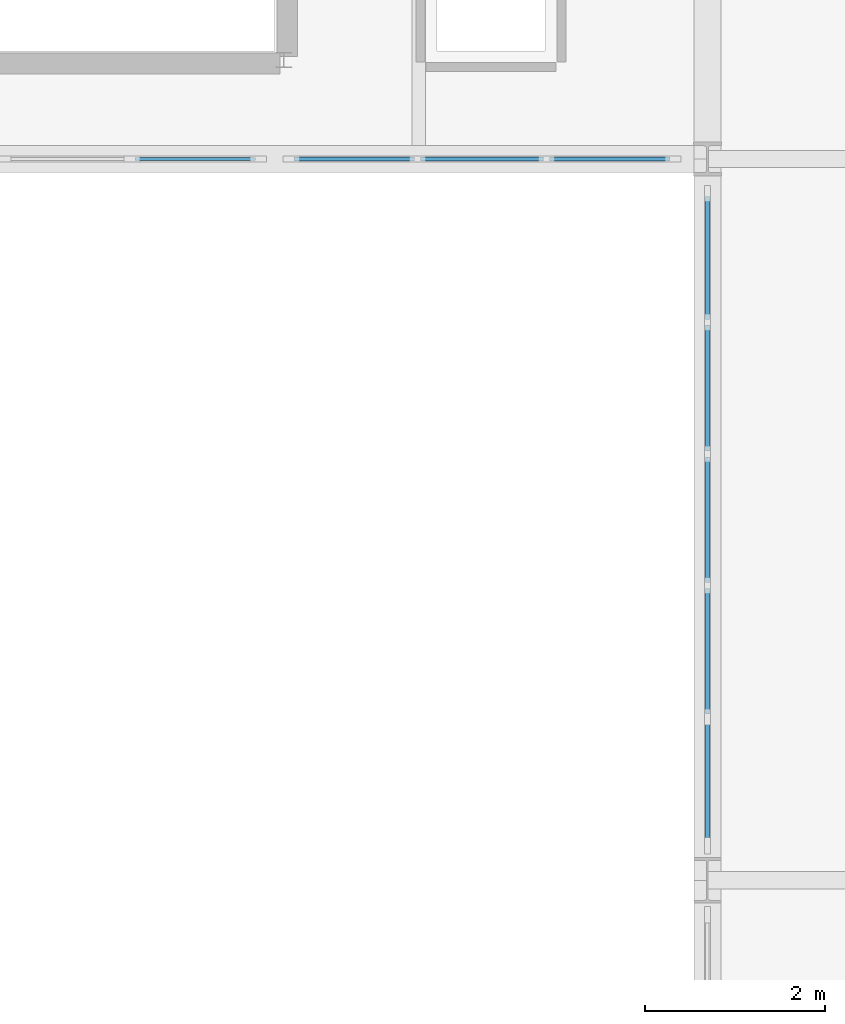
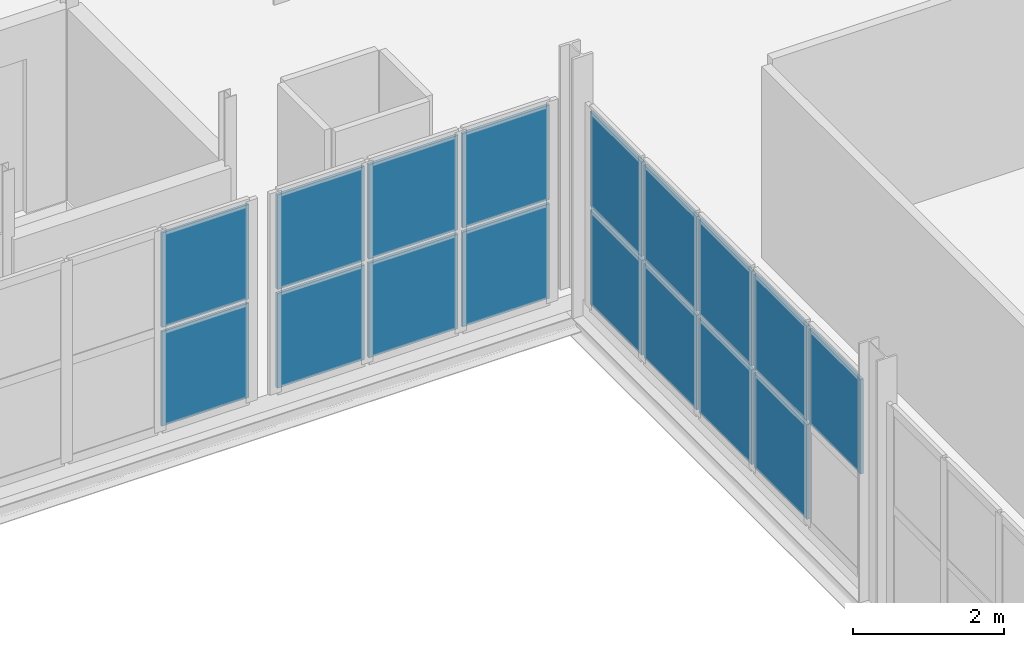
# One storey, part 53 of 78: 17 plates, 3 elements without a shape of their own.
"""IFC4 building model written with IfcOpenShell, lengths in metres."""

from ifc_helpers import new_model, si_unit, direction, frame, origin, origin_2d, place, context, subcontext, project, spatial, rectangle, extrude, material, layer, layer_set, type_object, element, aggregate, save


model = new_model("IFC4")

# Units and contexts
model_context = context("Model", 3, precision=1e-05, world=origin(), true_north=direction((0.0, 1.0)))
body_context = subcontext(model_context, "Body", "Model", "MODEL_VIEW")
ifc_project = project(units=[si_unit("LENGTHUNIT", "METRE"), si_unit("AREAUNIT", "SQUARE_METRE"), si_unit("VOLUMEUNIT", "CUBIC_METRE"), si_unit("PLANEANGLEUNIT", "RADIAN"), si_unit("MASSUNIT", "GRAM", prefix="KILO")], contexts=[model_context])

# Site, building, storey
site_placement = place(None, origin())
site = spatial("IfcSite", under=ifc_project, at=site_placement, CompositionType="ELEMENT")
building_placement = place(site_placement, origin())
building = spatial("IfcBuilding", under=site, at=building_placement, Name="Alderhovde Museum", CompositionType="ELEMENT")
storey_placement = place(building_placement, frame((0.0, 0.0, 4.5)))
storey = spatial("IfcBuildingStorey", under=building, at=storey_placement, Name="L01", CompositionType="ELEMENT", Elevation=4.5)

# Curtain wall, plates
ifc_material_1 = material(Name="Triple-Glazed Bronze-Anodised Curtain Wall", Category="glass")
ifc_layer_1 = layer(ifc_material_1, 0.179931640625)
ifc_layer_set_1 = layer_set([ifc_layer_1], Name="Triple-Glazed Bronze-Anodised Curtain Wall")
curtain_wall_type_1 = type_object("IfcCurtainWallType", Name="CW-STIC-430x326", PredefinedType="USERDEFINED", material=ifc_layer_set_1)
curtain_wall_1_placement = place(storey_placement, origin())
curtain_wall_1 = element("IfcCurtainWall", 1, at=curtain_wall_1_placement, inside=storey, type_object=curtain_wall_type_1, Name="L01 Stick Curtain Wall 149", ObjectType="STICK CURTAIN WALL", PredefinedType="USERDEFINED")
ifc_material_2 = material(Name="Triple-Glazed Low-E Laminated Glass", Category="glass")
ifc_layer_2 = layer(ifc_material_2, 0.035888671875)
ifc_layer_set_2 = layer_set([ifc_layer_2], Name="Triple-Glazed Low-E Laminated Glass")
plate_type_1 = type_object("IfcPlateType", Name="CWP-GLAZ-36", PredefinedType="CURTAIN_PANEL", material=ifc_layer_set_2)
plate_1_placement = place(storey_placement, frame((138.317138671875, 72.0, 0.06494140625), z_axis=(0.0, 0.0, 1.0), x_axis=(1.0, 0.0, 0.0)))
plate_1 = element("IfcPlate", 2, at=plate_1_placement, type_object=plate_type_1, Name="CW34 panel 3.1", PredefinedType="CURTAIN_PANEL", context=body_context, shape_type="SweptSolid", body=[
    extrude(rectangle(XDim=1.3359375, YDim=0.035888671875, at=origin_2d()), origin(), (0.0, 0.0, 1.0), 1.532470703125),
])
plate_2_placement = place(storey_placement, frame((138.317138671875, 72.0, 1.66259765625), z_axis=(0.0, 0.0, 1.0), x_axis=(1.0, 0.0, 0.0)))
plate_2 = element("IfcPlate", 3, at=plate_2_placement, type_object=plate_type_1, Name="CW34 panel 3.2", PredefinedType="CURTAIN_PANEL", context=body_context, shape_type="SweptSolid", body=[
    extrude(rectangle(XDim=1.3359375, YDim=0.035888671875, at=origin_2d()), origin(), (0.0, 0.0, 1.0), 1.532470703125),
])
aggregate(curtain_wall_1, [plate_1, plate_2])

curtain_wall_2_placement = place(storey_placement, origin())
curtain_wall_2 = element("IfcCurtainWall", 4, at=curtain_wall_2_placement, inside=storey, type_object=curtain_wall_type_1, Name="L01 Stick Curtain Wall 150", ObjectType="STICK CURTAIN WALL", PredefinedType="USERDEFINED")
ifc_material_3 = material(Name="Triple-Glazed Low-E Laminated Glass", Category="glass")
ifc_layer_3 = layer(ifc_material_3, 0.0439453125)
ifc_layer_set_3 = layer_set([ifc_layer_3], Name="Triple-Glazed Low-E Laminated Glass")
plate_type_2 = type_object("IfcPlateType", Name="CWP-GLAZ-44", PredefinedType="CURTAIN_PANEL", material=ifc_layer_set_3)
plate_3_placement = place(storey_placement, frame((140.0830078125, 72.0, 0.06494140625), z_axis=(0.0, 0.0, 1.0), x_axis=(1.0, 0.0, 0.0)))
plate_3 = element("IfcPlate", 5, at=plate_3_placement, type_object=plate_type_2, Name="CW34 panel 1.1", PredefinedType="CURTAIN_PANEL", context=body_context, shape_type="SweptSolid", body=[
    extrude(rectangle(XDim=1.3359375, YDim=0.0439453125, at=origin_2d()), origin(), (0.0, 0.0, 1.0), 1.532470703125),
])
plate_4_placement = place(storey_placement, frame((140.0830078125, 72.0, 1.66259765625), z_axis=(0.0, 0.0, 1.0), x_axis=(1.0, 0.0, 0.0)))
plate_4 = element("IfcPlate", 6, at=plate_4_placement, type_object=plate_type_2, Name="CW34 panel 1.2", PredefinedType="CURTAIN_PANEL", context=body_context, shape_type="SweptSolid", body=[
    extrude(rectangle(XDim=1.3359375, YDim=0.0439453125, at=origin_2d()), origin(), (0.0, 0.0, 1.0), 1.532470703125),
])
plate_5_placement = place(storey_placement, frame((141.5, 72.0, 0.06494140625), z_axis=(0.0, 0.0, 1.0), x_axis=(1.0, 0.0, 0.0)))
plate_5 = element("IfcPlate", 7, at=plate_5_placement, type_object=plate_type_2, Name="CW34 panel 2.1", PredefinedType="CURTAIN_PANEL", context=body_context, shape_type="SweptSolid", body=[
    extrude(rectangle(XDim=1.368408203125, YDim=0.0439453125, at=origin_2d()), origin(), (0.0, 0.0, 1.0), 1.532470703125),
])
plate_6_placement = place(storey_placement, frame((141.5, 72.0, 1.66259765625), z_axis=(0.0, 0.0, 1.0), x_axis=(1.0, 0.0, 0.0)))
plate_6 = element("IfcPlate", 8, at=plate_6_placement, type_object=plate_type_2, Name="CW34 panel 2.2", PredefinedType="CURTAIN_PANEL", context=body_context, shape_type="SweptSolid", body=[
    extrude(rectangle(XDim=1.368408203125, YDim=0.0439453125, at=origin_2d()), origin(), (0.0, 0.0, 1.0), 1.532470703125),
])
plate_7_placement = place(storey_placement, frame((142.9169921875, 72.0, 0.06494140625), z_axis=(0.0, 0.0, 1.0), x_axis=(1.0, 0.0, 0.0)))
plate_7 = element("IfcPlate", 9, at=plate_7_placement, type_object=plate_type_2, Name="CW34 panel 3.1", PredefinedType="CURTAIN_PANEL", context=body_context, shape_type="SweptSolid", body=[
    extrude(rectangle(XDim=1.3359375, YDim=0.0439453125, at=origin_2d()), origin(), (0.0, 0.0, 1.0), 1.532470703125),
])
plate_8_placement = place(storey_placement, frame((142.9169921875, 72.0, 1.66259765625), z_axis=(0.0, 0.0, 1.0), x_axis=(1.0, 0.0, 0.0)))
plate_8 = element("IfcPlate", 10, at=plate_8_placement, type_object=plate_type_2, Name="CW34 panel 3.2", PredefinedType="CURTAIN_PANEL", context=body_context, shape_type="SweptSolid", body=[
    extrude(rectangle(XDim=1.3359375, YDim=0.0439453125, at=origin_2d()), origin(), (0.0, 0.0, 1.0), 1.532470703125),
])
aggregate(curtain_wall_2, [plate_3, plate_4, plate_5, plate_6, plate_7, plate_8])

ifc_material_4 = material(Name="Triple-Glazed Bronze-Anodised Curtain Wall", Category="glass")
ifc_layer_4 = layer(ifc_material_4, 0.179931640625)
ifc_layer_set_4 = layer_set([ifc_layer_4], Name="Triple-Glazed Bronze-Anodised Curtain Wall")
curtain_wall_type_2 = type_object("IfcCurtainWallType", Name="CW-STIC-730x326", PredefinedType="USERDEFINED", material=ifc_layer_set_4)
curtain_wall_3_placement = place(storey_placement, origin())
curtain_wall_3 = element("IfcCurtainWall", 11, at=curtain_wall_3_placement, inside=storey, type_object=curtain_wall_type_2, Name="L01 Stick Curtain Wall 154", ObjectType="STICK CURTAIN WALL", PredefinedType="USERDEFINED")
plate_9_placement = place(storey_placement, frame((144.0, 65.09619140625, 1.66259765625), z_axis=(0.0, 0.0, 1.0), x_axis=(0.0, 1.0, 0.0)))
plate_9 = element("IfcPlate", 12, at=plate_9_placement, type_object=plate_type_2, Name="CW36 panel 1.2", PredefinedType="CURTAIN_PANEL", context=body_context, shape_type="SweptSolid", body=[
    extrude(rectangle(XDim=1.362548828125, YDim=0.0439453125, at=origin_2d()), origin(), (0.0, 0.0, 1.0), 1.532470703125),
])
plate_10_placement = place(storey_placement, frame((144.0, 66.5400390625, 0.06494140625), z_axis=(0.0, 0.0, 1.0), x_axis=(0.0, 1.0, 0.0)))
plate_10 = element("IfcPlate", 13, at=plate_10_placement, type_object=plate_type_2, Name="CW36 panel 2.1", PredefinedType="CURTAIN_PANEL", context=body_context, shape_type="SweptSolid", body=[
    extrude(rectangle(XDim=1.39501953125, YDim=0.0439453125, at=origin_2d()), origin(), (0.0, 0.0, 1.0), 1.532470703125),
])
plate_11_placement = place(storey_placement, frame((144.0, 66.5400390625, 1.66259765625), z_axis=(0.0, 0.0, 1.0), x_axis=(0.0, 1.0, 0.0)))
plate_11 = element("IfcPlate", 14, at=plate_11_placement, type_object=plate_type_2, Name="CW36 panel 2.2", PredefinedType="CURTAIN_PANEL", context=body_context, shape_type="SweptSolid", body=[
    extrude(rectangle(XDim=1.39501953125, YDim=0.0439453125, at=origin_2d()), origin(), (0.0, 0.0, 1.0), 1.532470703125),
])
plate_12_placement = place(storey_placement, frame((144.0, 68.0, 0.06494140625), z_axis=(0.0, 0.0, 1.0), x_axis=(0.0, 1.0, 0.0)))
plate_12 = element("IfcPlate", 15, at=plate_12_placement, type_object=plate_type_2, Name="CW36 panel 3.1", PredefinedType="CURTAIN_PANEL", context=body_context, shape_type="SweptSolid", body=[
    extrude(rectangle(XDim=1.39501953125, YDim=0.0439453125, at=origin_2d()), origin(), (0.0, 0.0, 1.0), 1.532470703125),
])
plate_13_placement = place(storey_placement, frame((144.0, 68.0, 1.66259765625), z_axis=(0.0, 0.0, 1.0), x_axis=(0.0, 1.0, 0.0)))
plate_13 = element("IfcPlate", 16, at=plate_13_placement, type_object=plate_type_2, Name="CW36 panel 3.2", PredefinedType="CURTAIN_PANEL", context=body_context, shape_type="SweptSolid", body=[
    extrude(rectangle(XDim=1.39501953125, YDim=0.0439453125, at=origin_2d()), origin(), (0.0, 0.0, 1.0), 1.532470703125),
])
plate_14_placement = place(storey_placement, frame((144.0, 69.4599609375, 0.06494140625), z_axis=(0.0, 0.0, 1.0), x_axis=(0.0, 1.0, 0.0)))
plate_14 = element("IfcPlate", 17, at=plate_14_placement, type_object=plate_type_2, Name="CW36 panel 4.1", PredefinedType="CURTAIN_PANEL", context=body_context, shape_type="SweptSolid", body=[
    extrude(rectangle(XDim=1.39501953125, YDim=0.0439453125, at=origin_2d()), origin(), (0.0, 0.0, 1.0), 1.532470703125),
])
plate_15_placement = place(storey_placement, frame((144.0, 69.4599609375, 1.66259765625), z_axis=(0.0, 0.0, 1.0), x_axis=(0.0, 1.0, 0.0)))
plate_15 = element("IfcPlate", 18, at=plate_15_placement, type_object=plate_type_2, Name="CW36 panel 4.2", PredefinedType="CURTAIN_PANEL", context=body_context, shape_type="SweptSolid", body=[
    extrude(rectangle(XDim=1.39501953125, YDim=0.0439453125, at=origin_2d()), origin(), (0.0, 0.0, 1.0), 1.532470703125),
])
plate_16_placement = place(storey_placement, frame((144.0, 70.90380859375, 0.06494140625), z_axis=(0.0, 0.0, 1.0), x_axis=(0.0, 1.0, 0.0)))
plate_16 = element("IfcPlate", 19, at=plate_16_placement, type_object=plate_type_2, Name="CW36 panel 5.1", PredefinedType="CURTAIN_PANEL", context=body_context, shape_type="SweptSolid", body=[
    extrude(rectangle(XDim=1.362548828125, YDim=0.0439453125, at=origin_2d()), origin(), (0.0, 0.0, 1.0), 1.532470703125),
])
plate_17_placement = place(storey_placement, frame((144.0, 70.90380859375, 1.66259765625), z_axis=(0.0, 0.0, 1.0), x_axis=(0.0, 1.0, 0.0)))
plate_17 = element("IfcPlate", 20, at=plate_17_placement, type_object=plate_type_2, Name="CW36 panel 5.2", PredefinedType="CURTAIN_PANEL", context=body_context, shape_type="SweptSolid", body=[
    extrude(rectangle(XDim=1.362548828125, YDim=0.0439453125, at=origin_2d()), origin(), (0.0, 0.0, 1.0), 1.532470703125),
])
aggregate(curtain_wall_3, [plate_9, plate_10, plate_11, plate_12, plate_13, plate_14, plate_15, plate_16, plate_17])

save(model, "model.ifc")
